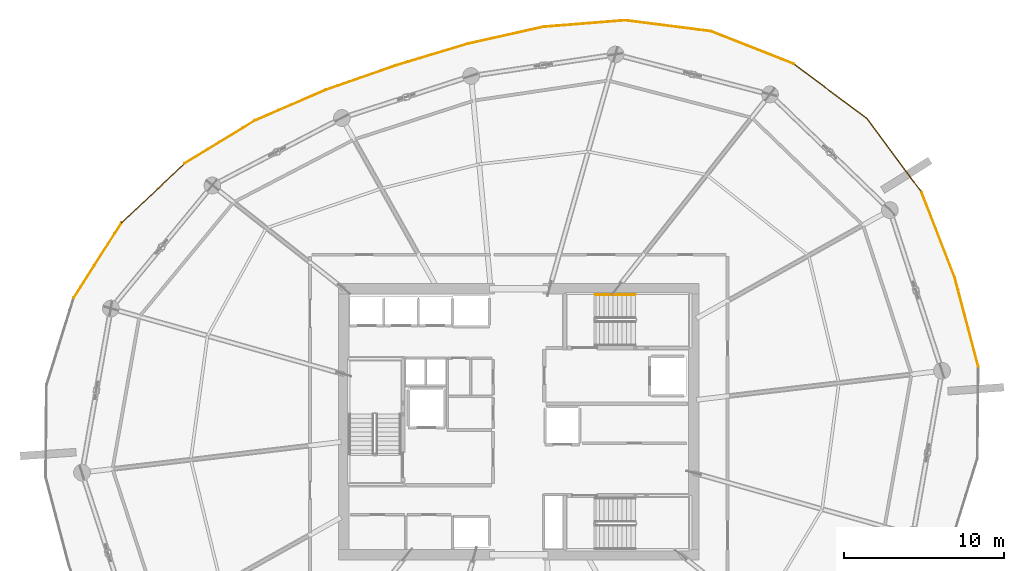
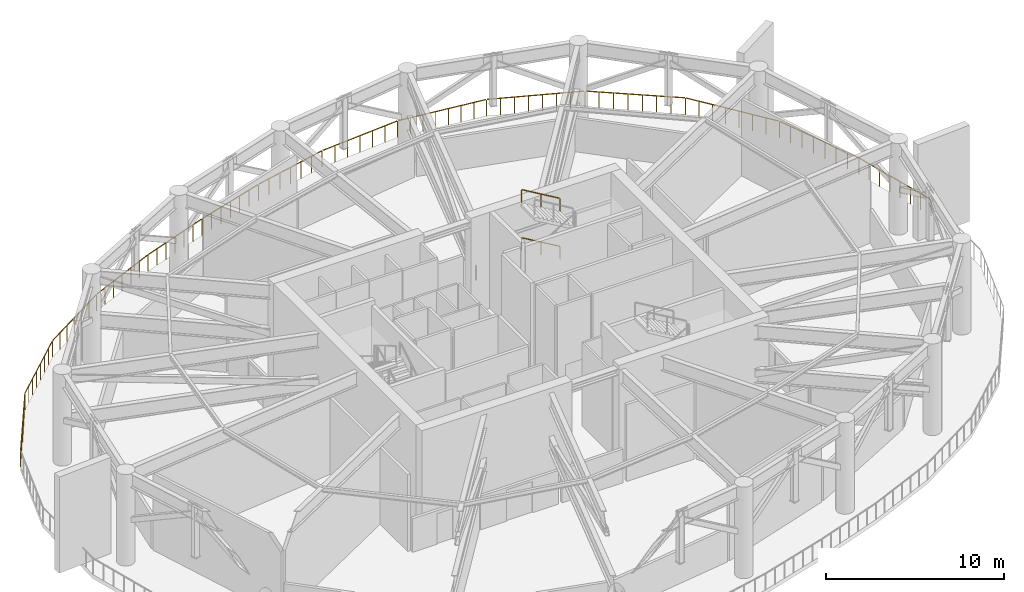
# One storey, part 20 of 20: 16 railings.
"""IFC4 building model written with IfcOpenShell, lengths in metres."""

from ifc_helpers import new_model, si_unit, direction, frame, origin, origin_2d, place, context, subcontext, project, spatial, rectangle, extrude, material, type_object, element, save


model = new_model("IFC4")

# Units and contexts
model_context = context("Model", 3, precision=1e-05, world=origin(), true_north=direction((0.0, 1.0)))
body_context = subcontext(model_context, "Body", "Model", "MODEL_VIEW")
ifc_project = project(units=[si_unit("LENGTHUNIT", "METRE"), si_unit("AREAUNIT", "SQUARE_METRE"), si_unit("VOLUMEUNIT", "CUBIC_METRE"), si_unit("PLANEANGLEUNIT", "RADIAN"), si_unit("MASSUNIT", "GRAM", prefix="KILO")], contexts=[model_context])

# Site, building, storey
site_placement = place(None, origin())
site = spatial("IfcSite", under=ifc_project, at=site_placement, CompositionType="ELEMENT")
building_placement = place(site_placement, origin())
building = spatial("IfcBuilding", under=site, at=building_placement, Name="Kazma Halo Residences", CompositionType="ELEMENT")
storey_placement = place(building_placement, frame((0.0, 0.0, 225.300048828125)))
storey = spatial("IfcBuildingStorey", under=building, at=storey_placement, Name="L57", CompositionType="ELEMENT", Elevation=225.300048828125)

# Railings
ifc_material_1 = material(Name="Brushed Stainless Steel and Laminated Glass", Category="steel")
railing_type_1 = type_object("IfcRailingType", Name="RLG-EXT-GUARD-1150", PredefinedType="GUARDRAIL", material=ifc_material_1)
railing_1_placement = place(storey_placement, frame((75.72021484375, 51.0068359375, 0.0)))
element("IfcRailing", 1, at=railing_1_placement, inside=storey, type_object=railing_type_1, Name="L57 open wind-floor perimeter guard 01", PredefinedType="GUARDRAIL", context=body_context, shape_type="SweptSolid", body=[
    extrude(rectangle(XDim=0.050048828125, YDim=0.050048828125, at=origin_2d()), frame((-0.015380859375, 0.03955078125, 1.125), z_axis=(-0.362099505879, 0.932139446565, 0.0), x_axis=(-0.932139446565, -0.362099505879, 0.0)), (0.0, 0.0, 1.0), 5.657470703125),
    extrude(rectangle(XDim=0.0400390625, YDim=0.0400390625, at=origin_2d()), origin(), (0.0, 0.0, 1.0), 1.087890625),
    extrude(rectangle(XDim=0.0400390625, YDim=0.0400390625, at=origin_2d()), frame((-0.297119140625, 0.7646484375, 0.0)), (0.0, 0.0, 1.0), 1.087890625),
    extrude(rectangle(XDim=0.0400390625, YDim=0.0400390625, at=origin_2d()), frame((-0.593994140625, 1.529296875, 0.0)), (0.0, 0.0, 1.0), 1.087890625),
    extrude(rectangle(XDim=0.0400390625, YDim=0.0400390625, at=origin_2d()), frame((-0.89111328125, 2.2939453125, 0.0)), (0.0, 0.0, 1.0), 1.087890625),
    extrude(rectangle(XDim=0.0400390625, YDim=0.0400390625, at=origin_2d()), frame((-1.188232421875, 3.058837890625, 0.0)), (0.0, 0.0, 1.0), 1.087890625),
    extrude(rectangle(XDim=0.0400390625, YDim=0.0400390625, at=origin_2d()), frame((-1.4853515625, 3.823486328125, 0.0)), (0.0, 0.0, 1.0), 1.087890625),
    extrude(rectangle(XDim=0.0400390625, YDim=0.0400390625, at=origin_2d()), frame((-1.7822265625, 4.588134765625, 0.0)), (0.0, 0.0, 1.0), 1.087890625),
    extrude(rectangle(XDim=0.0400390625, YDim=0.0400390625, at=origin_2d()), frame((-2.079345703125, 5.352783203125, 0.0)), (0.0, 0.0, 1.0), 1.087890625),
])
railing_2_placement = place(storey_placement, frame((73.640869140625, 56.359619140625, 0.0)))
element("IfcRailing", 2, at=railing_2_placement, inside=storey, type_object=railing_type_1, Name="L57 open wind-floor perimeter guard 02", PredefinedType="GUARDRAIL", context=body_context, shape_type="SweptSolid", body=[
    extrude(rectangle(XDim=0.050048828125, YDim=0.050048828125, at=origin_2d()), frame((-0.025390625, 0.0341796875, 1.125), z_axis=(-0.595327107101, 0.803483438255, 0.0), x_axis=(-0.803483438255, -0.595327107101, 0.0)), (0.0, 0.0, 1.0), 5.661865234375),
    extrude(rectangle(XDim=0.0400390625, YDim=0.0400390625, at=origin_2d()), origin(), (0.0, 0.0, 1.0), 1.087890625),
    extrude(rectangle(XDim=0.0400390625, YDim=0.0400390625, at=origin_2d()), frame((-0.48876953125, 0.65966796875, 0.0)), (0.0, 0.0, 1.0), 1.087890625),
    extrude(rectangle(XDim=0.0400390625, YDim=0.0400390625, at=origin_2d()), frame((-0.9775390625, 1.3193359375, 0.0)), (0.0, 0.0, 1.0), 1.087890625),
    extrude(rectangle(XDim=0.0400390625, YDim=0.0400390625, at=origin_2d()), frame((-1.46630859375, 1.97900390625, 0.0)), (0.0, 0.0, 1.0), 1.087890625),
    extrude(rectangle(XDim=0.0400390625, YDim=0.0400390625, at=origin_2d()), frame((-1.955078125, 2.638671875, 0.0)), (0.0, 0.0, 1.0), 1.087890625),
    extrude(rectangle(XDim=0.0400390625, YDim=0.0400390625, at=origin_2d()), frame((-2.44384765625, 3.29833984375, 0.0)), (0.0, 0.0, 1.0), 1.087890625),
    extrude(rectangle(XDim=0.0400390625, YDim=0.0400390625, at=origin_2d()), frame((-2.9326171875, 3.9580078125, 0.0)), (0.0, 0.0, 1.0), 1.087890625),
    extrude(rectangle(XDim=0.0400390625, YDim=0.0400390625, at=origin_2d()), frame((-3.42138671875, 4.61767578125, 0.0)), (0.0, 0.0, 1.0), 1.087890625),
])
railing_3_placement = place(storey_placement, frame((70.219482421875, 60.977294921875, 0.0)))
element("IfcRailing", 3, at=railing_3_placement, inside=storey, type_object=railing_type_1, Name="L57 open wind-floor perimeter guard 03", PredefinedType="GUARDRAIL", context=body_context, shape_type="SweptSolid", body=[
    extrude(rectangle(XDim=0.050048828125, YDim=0.050048828125, at=origin_2d()), frame((-0.0341796875, 0.025390625, 1.125), z_axis=(-0.801472008751, 0.59803228942, 0.0), x_axis=(-0.59803228942, -0.801472008751, 0.0)), (0.0, 0.0, 1.0), 5.61767578125),
    extrude(rectangle(XDim=0.0400390625, YDim=0.0400390625, at=origin_2d()), origin(), (0.0, 0.0, 1.0), 1.087890625),
    extrude(rectangle(XDim=0.0400390625, YDim=0.0400390625, at=origin_2d()), frame((-0.65283203125, 0.4873046875, 0.0)), (0.0, 0.0, 1.0), 1.087890625),
    extrude(rectangle(XDim=0.0400390625, YDim=0.0400390625, at=origin_2d()), frame((-1.305908203125, 0.974365234375, 0.0)), (0.0, 0.0, 1.0), 1.087890625),
    extrude(rectangle(XDim=0.0400390625, YDim=0.0400390625, at=origin_2d()), frame((-1.958740234375, 1.461669921875, 0.0)), (0.0, 0.0, 1.0), 1.087890625),
    extrude(rectangle(XDim=0.0400390625, YDim=0.0400390625, at=origin_2d()), frame((-2.61181640625, 1.94873046875, 0.0)), (0.0, 0.0, 1.0), 1.087890625),
    extrude(rectangle(XDim=0.0400390625, YDim=0.0400390625, at=origin_2d()), frame((-3.2646484375, 2.43603515625, 0.0)), (0.0, 0.0, 1.0), 1.087890625),
    extrude(rectangle(XDim=0.0400390625, YDim=0.0400390625, at=origin_2d()), frame((-3.917724609375, 2.923095703125, 0.0)), (0.0, 0.0, 1.0), 1.087890625),
    extrude(rectangle(XDim=0.0400390625, YDim=0.0400390625, at=origin_2d()), frame((-4.570556640625, 3.410400390625, 0.0)), (0.0, 0.0, 1.0), 1.087890625),
])
railing_4_placement = place(storey_placement, frame((65.64892578125, 64.3876953125, 0.0)))
element("IfcRailing", 4, at=railing_4_placement, inside=storey, type_object=railing_type_1, Name="L57 open wind-floor perimeter guard 04", PredefinedType="GUARDRAIL", context=body_context, shape_type="SweptSolid", body=[
    extrude(rectangle(XDim=0.050048828125, YDim=0.050048828125, at=origin_2d()), frame((-0.03955078125, 0.015625, 1.125), z_axis=(-0.93029771468, 0.366805346283, 0.0), x_axis=(-0.366805346283, -0.93029771468, 0.0)), (0.0, 0.0, 1.0), 5.501953125),
    extrude(rectangle(XDim=0.0400390625, YDim=0.0400390625, at=origin_2d()), origin(), (0.0, 0.0, 1.0), 1.087890625),
    extrude(rectangle(XDim=0.0400390625, YDim=0.0400390625, at=origin_2d()), frame((-0.742431640625, 0.292724609375, 0.0)), (0.0, 0.0, 1.0), 1.087890625),
    extrude(rectangle(XDim=0.0400390625, YDim=0.0400390625, at=origin_2d()), frame((-1.485107421875, 0.58544921875, 0.0)), (0.0, 0.0, 1.0), 1.087890625),
    extrude(rectangle(XDim=0.0400390625, YDim=0.0400390625, at=origin_2d()), frame((-2.2275390625, 0.878173828125, 0.0)), (0.0, 0.0, 1.0), 1.087890625),
    extrude(rectangle(XDim=0.0400390625, YDim=0.0400390625, at=origin_2d()), frame((-2.969970703125, 1.171142578125, 0.0)), (0.0, 0.0, 1.0), 1.087890625),
    extrude(rectangle(XDim=0.0400390625, YDim=0.0400390625, at=origin_2d()), frame((-3.71240234375, 1.4638671875, 0.0)), (0.0, 0.0, 1.0), 1.087890625),
    extrude(rectangle(XDim=0.0400390625, YDim=0.0400390625, at=origin_2d()), frame((-4.455078125, 1.756591796875, 0.0)), (0.0, 0.0, 1.0), 1.087890625),
    extrude(rectangle(XDim=0.0400390625, YDim=0.0400390625, at=origin_2d()), frame((-5.197509765625, 2.04931640625, 0.0)), (0.0, 0.0, 1.0), 1.087890625),
])
railing_5_placement = place(storey_placement, frame((60.451416015625, 66.43701171875, 0.0)))
element("IfcRailing", 5, at=railing_5_placement, inside=storey, type_object=railing_type_1, Name="L57 open wind-floor perimeter guard 05", PredefinedType="GUARDRAIL", context=body_context, shape_type="SweptSolid", body=[
    extrude(rectangle(XDim=0.050048828125, YDim=0.050048828125, at=origin_2d()), frame((-0.042236328125, 0.00537109375, 1.125), z_axis=(-0.991979301164, 0.126400419551, 0.0), x_axis=(-0.126400419551, -0.991979301164, 0.0)), (0.0, 0.0, 1.0), 5.324951171875),
    extrude(rectangle(XDim=0.0400390625, YDim=0.0400390625, at=origin_2d()), origin(), (0.0, 0.0, 1.0), 1.087890625),
    extrude(rectangle(XDim=0.0400390625, YDim=0.0400390625, at=origin_2d()), frame((-0.7666015625, 0.09765625, 0.0)), (0.0, 0.0, 1.0), 1.087890625),
    extrude(rectangle(XDim=0.0400390625, YDim=0.0400390625, at=origin_2d()), frame((-1.533447265625, 0.1953125, 0.0)), (0.0, 0.0, 1.0), 1.087890625),
    extrude(rectangle(XDim=0.0400390625, YDim=0.0400390625, at=origin_2d()), frame((-2.300048828125, 0.29296875, 0.0)), (0.0, 0.0, 1.0), 1.087890625),
    extrude(rectangle(XDim=0.0400390625, YDim=0.0400390625, at=origin_2d()), frame((-3.066650390625, 0.390869140625, 0.0)), (0.0, 0.0, 1.0), 1.087890625),
    extrude(rectangle(XDim=0.0400390625, YDim=0.0400390625, at=origin_2d()), frame((-3.833251953125, 0.488525390625, 0.0)), (0.0, 0.0, 1.0), 1.087890625),
    extrude(rectangle(XDim=0.0400390625, YDim=0.0400390625, at=origin_2d()), frame((-4.60009765625, 0.586181640625, 0.0)), (0.0, 0.0, 1.0), 1.087890625),
    extrude(rectangle(XDim=0.0400390625, YDim=0.0400390625, at=origin_2d()), frame((-5.36669921875, 0.683837890625, 0.0)), (0.0, 0.0, 1.0), 1.087890625),
])
railing_6_placement = place(storey_placement, frame((55.084716796875, 67.120849609375, 0.0)))
element("IfcRailing", 6, at=railing_6_placement, inside=storey, type_object=railing_type_1, Name="L57 open wind-floor perimeter guard 06", PredefinedType="GUARDRAIL", context=body_context, shape_type="SweptSolid", body=[
    extrude(rectangle(XDim=0.050048828125, YDim=0.050048828125, at=origin_2d()), frame((-0.04248046875, -0.00341796875, 1.125), z_axis=(-0.996816482765, -0.079730167995, 0.0), x_axis=(0.079730167995, -0.996816482765, 0.0)), (0.0, 0.0, 1.0), 5.071533203125),
    extrude(rectangle(XDim=0.0400390625, YDim=0.0400390625, at=origin_2d()), origin(), (0.0, 0.0, 1.0), 1.087890625),
    extrude(rectangle(XDim=0.0400390625, YDim=0.0400390625, at=origin_2d()), frame((-0.856689453125, -0.068603515625, 0.0)), (0.0, 0.0, 1.0), 1.087890625),
    extrude(rectangle(XDim=0.0400390625, YDim=0.0400390625, at=origin_2d()), frame((-1.71337890625, -0.136962890625, 0.0)), (0.0, 0.0, 1.0), 1.087890625),
    extrude(rectangle(XDim=0.0400390625, YDim=0.0400390625, at=origin_2d()), frame((-2.570068359375, -0.20556640625, 0.0)), (0.0, 0.0, 1.0), 1.087890625),
    extrude(rectangle(XDim=0.0400390625, YDim=0.0400390625, at=origin_2d()), frame((-3.4267578125, -0.274169921875, 0.0)), (0.0, 0.0, 1.0), 1.087890625),
    extrude(rectangle(XDim=0.0400390625, YDim=0.0400390625, at=origin_2d()), frame((-4.283447265625, -0.342529296875, 0.0)), (0.0, 0.0, 1.0), 1.087890625),
    extrude(rectangle(XDim=0.0400390625, YDim=0.0400390625, at=origin_2d()), frame((-5.14013671875, -0.4111328125, 0.0)), (0.0, 0.0, 1.0), 1.087890625),
])
railing_7_placement = place(storey_placement, frame((49.944580078125, 66.709716796875, 0.0)))
element("IfcRailing", 7, at=railing_7_placement, inside=storey, type_object=railing_type_1, Name="L57 open wind-floor perimeter guard 07", PredefinedType="GUARDRAIL", context=body_context, shape_type="SweptSolid", body=[
    extrude(rectangle(XDim=0.050048828125, YDim=0.050048828125, at=origin_2d()), frame((-0.04150390625, -0.00927734375, 1.125), z_axis=(-0.975720413883, -0.219019802602, 0.0), x_axis=(0.219019802602, -0.975720413883, 0.0)), (0.0, 0.0, 1.0), 4.776123046875),
    extrude(rectangle(XDim=0.0400390625, YDim=0.0400390625, at=origin_2d()), origin(), (0.0, 0.0, 1.0), 1.087890625),
    extrude(rectangle(XDim=0.0400390625, YDim=0.0400390625, at=origin_2d()), frame((-0.79052734375, -0.177490234375, 0.0)), (0.0, 0.0, 1.0), 1.087890625),
    extrude(rectangle(XDim=0.0400390625, YDim=0.0400390625, at=origin_2d()), frame((-1.5810546875, -0.35498046875, 0.0)), (0.0, 0.0, 1.0), 1.087890625),
    extrude(rectangle(XDim=0.0400390625, YDim=0.0400390625, at=origin_2d()), frame((-2.37158203125, -0.5322265625, 0.0)), (0.0, 0.0, 1.0), 1.087890625),
    extrude(rectangle(XDim=0.0400390625, YDim=0.0400390625, at=origin_2d()), frame((-3.162109375, -0.709716796875, 0.0)), (0.0, 0.0, 1.0), 1.087890625),
    extrude(rectangle(XDim=0.0400390625, YDim=0.0400390625, at=origin_2d()), frame((-3.95263671875, -0.88720703125, 0.0)), (0.0, 0.0, 1.0), 1.087890625),
    extrude(rectangle(XDim=0.0400390625, YDim=0.0400390625, at=origin_2d()), frame((-4.7431640625, -1.064697265625, 0.0)), (0.0, 0.0, 1.0), 1.087890625),
])
railing_8_placement = place(storey_placement, frame((45.201416015625, 65.64501953125, 0.0)))
element("IfcRailing", 8, at=railing_8_placement, inside=storey, type_object=railing_type_1, Name="L57 open wind-floor perimeter guard 08", PredefinedType="GUARDRAIL", context=body_context, shape_type="SweptSolid", body=[
    extrude(rectangle(XDim=0.050048828125, YDim=0.050048828125, at=origin_2d()), frame((-0.040771484375, -0.01220703125, 1.125), z_axis=(-0.957247301834, -0.28927081279, 0.0), x_axis=(0.28927081279, -0.957247301834, 0.0)), (0.0, 0.0, 1.0), 4.56103515625),
    extrude(rectangle(XDim=0.0400390625, YDim=0.0400390625, at=origin_2d()), origin(), (0.0, 0.0, 1.0), 1.087890625),
    extrude(rectangle(XDim=0.0400390625, YDim=0.0400390625, at=origin_2d()), frame((-0.7412109375, -0.22412109375, 0.0)), (0.0, 0.0, 1.0), 1.087890625),
    extrude(rectangle(XDim=0.0400390625, YDim=0.0400390625, at=origin_2d()), frame((-1.482421875, -0.447998046875, 0.0)), (0.0, 0.0, 1.0), 1.087890625),
    extrude(rectangle(XDim=0.0400390625, YDim=0.0400390625, at=origin_2d()), frame((-2.2236328125, -0.671875, 0.0)), (0.0, 0.0, 1.0), 1.087890625),
    extrude(rectangle(XDim=0.0400390625, YDim=0.0400390625, at=origin_2d()), frame((-2.965087890625, -0.89599609375, 0.0)), (0.0, 0.0, 1.0), 1.087890625),
    extrude(rectangle(XDim=0.0400390625, YDim=0.0400390625, at=origin_2d()), frame((-3.706298828125, -1.1201171875, 0.0)), (0.0, 0.0, 1.0), 1.087890625),
    extrude(rectangle(XDim=0.0400390625, YDim=0.0400390625, at=origin_2d()), frame((-4.447509765625, -1.343994140625, 0.0)), (0.0, 0.0, 1.0), 1.087890625),
])
railing_9_placement = place(storey_placement, frame((40.75390625, 64.301025390625, 0.0)))
element("IfcRailing", 9, at=railing_9_placement, inside=storey, type_object=railing_type_1, Name="L57 open wind-floor perimeter guard 09", PredefinedType="GUARDRAIL", context=body_context, shape_type="SweptSolid", body=[
    extrude(rectangle(XDim=0.050048828125, YDim=0.050048828125, at=origin_2d()), frame((-0.040283203125, -0.013916015625, 1.125), z_axis=(-0.944455672037, -0.328638834525, 0.0), x_axis=(0.328638834525, -0.944455672037, 0.0)), (0.0, 0.0, 1.0), 4.56103515625),
    extrude(rectangle(XDim=0.0400390625, YDim=0.0400390625, at=origin_2d()), origin(), (0.0, 0.0, 1.0), 1.087890625),
    extrude(rectangle(XDim=0.0400390625, YDim=0.0400390625, at=origin_2d()), frame((-0.7314453125, -0.25439453125, 0.0)), (0.0, 0.0, 1.0), 1.087890625),
    extrude(rectangle(XDim=0.0400390625, YDim=0.0400390625, at=origin_2d()), frame((-1.462646484375, -0.509033203125, 0.0)), (0.0, 0.0, 1.0), 1.087890625),
    extrude(rectangle(XDim=0.0400390625, YDim=0.0400390625, at=origin_2d()), frame((-2.19384765625, -0.763427734375, 0.0)), (0.0, 0.0, 1.0), 1.087890625),
    extrude(rectangle(XDim=0.0400390625, YDim=0.0400390625, at=origin_2d()), frame((-2.92529296875, -1.017822265625, 0.0)), (0.0, 0.0, 1.0), 1.087890625),
    extrude(rectangle(XDim=0.0400390625, YDim=0.0400390625, at=origin_2d()), frame((-3.65673828125, -1.2724609375, 0.0)), (0.0, 0.0, 1.0), 1.087890625),
    extrude(rectangle(XDim=0.0400390625, YDim=0.0400390625, at=origin_2d()), frame((-4.387939453125, -1.52685546875, 0.0)), (0.0, 0.0, 1.0), 1.087890625),
])
railing_10_placement = place(storey_placement, frame((36.365966796875, 62.774169921875, 0.0)))
element("IfcRailing", 10, at=railing_10_placement, inside=storey, type_object=railing_type_1, Name="L57 open wind-floor perimeter guard 10", PredefinedType="GUARDRAIL", context=body_context, shape_type="SweptSolid", body=[
    extrude(rectangle(XDim=0.050048828125, YDim=0.050048828125, at=origin_2d()), frame((-0.0390625, -0.016845703125, 1.125), z_axis=(-0.918108041038, -0.396330196908, 0.0), x_axis=(0.396330196908, -0.918108041038, 0.0)), (0.0, 0.0, 1.0), 4.7763671875),
    extrude(rectangle(XDim=0.0400390625, YDim=0.0400390625, at=origin_2d()), origin(), (0.0, 0.0, 1.0), 1.087890625),
    extrude(rectangle(XDim=0.0400390625, YDim=0.0400390625, at=origin_2d()), frame((-0.743896484375, -0.321044921875, 0.0)), (0.0, 0.0, 1.0), 1.087890625),
    extrude(rectangle(XDim=0.0400390625, YDim=0.0400390625, at=origin_2d()), frame((-1.48779296875, -0.642333984375, 0.0)), (0.0, 0.0, 1.0), 1.087890625),
    extrude(rectangle(XDim=0.0400390625, YDim=0.0400390625, at=origin_2d()), frame((-2.231689453125, -0.96337890625, 0.0)), (0.0, 0.0, 1.0), 1.087890625),
    extrude(rectangle(XDim=0.0400390625, YDim=0.0400390625, at=origin_2d()), frame((-2.9755859375, -1.284423828125, 0.0)), (0.0, 0.0, 1.0), 1.087890625),
    extrude(rectangle(XDim=0.0400390625, YDim=0.0400390625, at=origin_2d()), frame((-3.719482421875, -1.605712890625, 0.0)), (0.0, 0.0, 1.0), 1.087890625),
    extrude(rectangle(XDim=0.0400390625, YDim=0.0400390625, at=origin_2d()), frame((-4.46337890625, -1.9267578125, 0.0)), (0.0, 0.0, 1.0), 1.087890625),
])
railing_11_placement = place(storey_placement, frame((31.902587890625, 60.847412109375, 0.0)))
element("IfcRailing", 11, at=railing_11_placement, inside=storey, type_object=railing_type_1, Name="L57 open wind-floor perimeter guard 11", PredefinedType="GUARDRAIL", context=body_context, shape_type="SweptSolid", body=[
    extrude(rectangle(XDim=0.050048828125, YDim=0.050048828125, at=origin_2d()), frame((-0.036376953125, -0.022216796875, 1.125), z_axis=(-0.853291196556, -0.52143468803, 0.0), x_axis=(0.52143468803, -0.853291196556, 0.0)), (0.0, 0.0, 1.0), 5.0712890625),
    extrude(rectangle(XDim=0.0400390625, YDim=0.0400390625, at=origin_2d()), origin(), (0.0, 0.0, 1.0), 1.087890625),
    extrude(rectangle(XDim=0.0400390625, YDim=0.0400390625, at=origin_2d()), frame((-0.7333984375, -0.4482421875, 0.0)), (0.0, 0.0, 1.0), 1.087890625),
    extrude(rectangle(XDim=0.0400390625, YDim=0.0400390625, at=origin_2d()), frame((-1.466552734375, -0.896240234375, 0.0)), (0.0, 0.0, 1.0), 1.087890625),
    extrude(rectangle(XDim=0.0400390625, YDim=0.0400390625, at=origin_2d()), frame((-2.199951171875, -1.34423828125, 0.0)), (0.0, 0.0, 1.0), 1.087890625),
    extrude(rectangle(XDim=0.0400390625, YDim=0.0400390625, at=origin_2d()), frame((-2.933349609375, -1.79248046875, 0.0)), (0.0, 0.0, 1.0), 1.087890625),
    extrude(rectangle(XDim=0.0400390625, YDim=0.0400390625, at=origin_2d()), frame((-3.66650390625, -2.24072265625, 0.0)), (0.0, 0.0, 1.0), 1.087890625),
    extrude(rectangle(XDim=0.0400390625, YDim=0.0400390625, at=origin_2d()), frame((-4.39990234375, -2.688720703125, 0.0)), (0.0, 0.0, 1.0), 1.087890625),
])
railing_12_placement = place(storey_placement, frame((27.502685546875, 58.15869140625, 0.0)))
element("IfcRailing", 12, at=railing_12_placement, inside=storey, type_object=railing_type_1, Name="L57 open wind-floor perimeter guard 12", PredefinedType="GUARDRAIL", context=body_context, shape_type="SweptSolid", body=[
    extrude(rectangle(XDim=0.050048828125, YDim=0.050048828125, at=origin_2d()), frame((-0.031005859375, -0.029052734375, 1.125), z_axis=(-0.728262260759, -0.685298533162, 0.0), x_axis=(0.685298533162, -0.728262260759, 0.0)), (0.0, 0.0, 1.0), 5.32470703125),
    extrude(rectangle(XDim=0.0400390625, YDim=0.0400390625, at=origin_2d()), origin(), (0.0, 0.0, 1.0), 1.087890625),
    extrude(rectangle(XDim=0.0400390625, YDim=0.0400390625, at=origin_2d()), frame((-0.562744140625, -0.529541015625, 0.0)), (0.0, 0.0, 1.0), 1.087890625),
    extrude(rectangle(XDim=0.0400390625, YDim=0.0400390625, at=origin_2d()), frame((-1.125732421875, -1.059326171875, 0.0)), (0.0, 0.0, 1.0), 1.087890625),
    extrude(rectangle(XDim=0.0400390625, YDim=0.0400390625, at=origin_2d()), frame((-1.6884765625, -1.5888671875, 0.0)), (0.0, 0.0, 1.0), 1.087890625),
    extrude(rectangle(XDim=0.0400390625, YDim=0.0400390625, at=origin_2d()), frame((-2.251220703125, -2.118408203125, 0.0)), (0.0, 0.0, 1.0), 1.087890625),
    extrude(rectangle(XDim=0.0400390625, YDim=0.0400390625, at=origin_2d()), frame((-2.81396484375, -2.64794921875, 0.0)), (0.0, 0.0, 1.0), 1.087890625),
    extrude(rectangle(XDim=0.0400390625, YDim=0.0400390625, at=origin_2d()), frame((-3.376953125, -3.177734375, 0.0)), (0.0, 0.0, 1.0), 1.087890625),
    extrude(rectangle(XDim=0.0400390625, YDim=0.0400390625, at=origin_2d()), frame((-3.939697265625, -3.707275390625, 0.0)), (0.0, 0.0, 1.0), 1.087890625),
])
railing_13_placement = place(storey_placement, frame((23.56298828125, 54.451416015625, 0.0)))
element("IfcRailing", 13, at=railing_13_placement, inside=storey, type_object=railing_type_1, Name="L57 open wind-floor perimeter guard 13", PredefinedType="GUARDRAIL", context=body_context, shape_type="SweptSolid", body=[
    extrude(rectangle(XDim=0.050048828125, YDim=0.050048828125, at=origin_2d()), frame((-0.02294921875, -0.035888671875, 1.125), z_axis=(-0.537030991497, -0.843562513494, 0.0), x_axis=(0.843562513494, -0.537030991497, 0.0)), (0.0, 0.0, 1.0), 5.502197265625),
    extrude(rectangle(XDim=0.0400390625, YDim=0.0400390625, at=origin_2d()), origin(), (0.0, 0.0, 1.0), 1.087890625),
    extrude(rectangle(XDim=0.0400390625, YDim=0.0400390625, at=origin_2d()), frame((-0.4287109375, -0.67333984375, 0.0)), (0.0, 0.0, 1.0), 1.087890625),
    extrude(rectangle(XDim=0.0400390625, YDim=0.0400390625, at=origin_2d()), frame((-0.857177734375, -1.3466796875, 0.0)), (0.0, 0.0, 1.0), 1.087890625),
    extrude(rectangle(XDim=0.0400390625, YDim=0.0400390625, at=origin_2d()), frame((-1.285888671875, -2.02001953125, 0.0)), (0.0, 0.0, 1.0), 1.087890625),
    extrude(rectangle(XDim=0.0400390625, YDim=0.0400390625, at=origin_2d()), frame((-1.714599609375, -2.693115234375, 0.0)), (0.0, 0.0, 1.0), 1.087890625),
    extrude(rectangle(XDim=0.0400390625, YDim=0.0400390625, at=origin_2d()), frame((-2.143310546875, -3.366455078125, 0.0)), (0.0, 0.0, 1.0), 1.087890625),
    extrude(rectangle(XDim=0.0400390625, YDim=0.0400390625, at=origin_2d()), frame((-2.57177734375, -4.039794921875, 0.0)), (0.0, 0.0, 1.0), 1.087890625),
    extrude(rectangle(XDim=0.0400390625, YDim=0.0400390625, at=origin_2d()), frame((-3.00048828125, -4.713134765625, 0.0)), (0.0, 0.0, 1.0), 1.087890625),
])
railing_14_placement = place(storey_placement, frame((77.184326171875, 45.4541015625, 0.0)))
element("IfcRailing", 14, at=railing_14_placement, inside=storey, type_object=railing_type_1, Name="L57 open wind-floor perimeter guard 32", PredefinedType="GUARDRAIL", context=body_context, shape_type="SweptSolid", body=[
    extrude(rectangle(XDim=0.050048828125, YDim=0.050048828125, at=origin_2d()), frame((-0.0107421875, 0.041015625, 1.125), z_axis=(-0.254959938761, 0.966951617004, 0.0), x_axis=(-0.966951617004, -0.254959938761, 0.0)), (0.0, 0.0, 1.0), 5.657470703125),
    extrude(rectangle(XDim=0.0400390625, YDim=0.0400390625, at=origin_2d()), origin(), (0.0, 0.0, 1.0), 1.087890625),
    extrude(rectangle(XDim=0.0400390625, YDim=0.0400390625, at=origin_2d()), frame((-0.209228515625, 0.793212890625, 0.0)), (0.0, 0.0, 1.0), 1.087890625),
    extrude(rectangle(XDim=0.0400390625, YDim=0.0400390625, at=origin_2d()), frame((-0.418212890625, 1.58642578125, 0.0)), (0.0, 0.0, 1.0), 1.087890625),
    extrude(rectangle(XDim=0.0400390625, YDim=0.0400390625, at=origin_2d()), frame((-0.62744140625, 2.379638671875, 0.0)), (0.0, 0.0, 1.0), 1.087890625),
    extrude(rectangle(XDim=0.0400390625, YDim=0.0400390625, at=origin_2d()), frame((-0.836669921875, 3.173095703125, 0.0)), (0.0, 0.0, 1.0), 1.087890625),
    extrude(rectangle(XDim=0.0400390625, YDim=0.0400390625, at=origin_2d()), frame((-1.0458984375, 3.96630859375, 0.0)), (0.0, 0.0, 1.0), 1.087890625),
    extrude(rectangle(XDim=0.0400390625, YDim=0.0400390625, at=origin_2d()), frame((-1.2548828125, 4.759521484375, 0.0)), (0.0, 0.0, 1.0), 1.087890625),
    extrude(rectangle(XDim=0.0400390625, YDim=0.0400390625, at=origin_2d()), frame((-1.464111328125, 5.552734375, 0.0)), (0.0, 0.0, 1.0), 1.087890625),
])
ifc_material_2 = material(Name="Brushed Stainless Steel", Category="steel")
railing_type_2 = type_object("IfcRailingType", Name="RLG-STAIR-HND-900", PredefinedType="HANDRAIL", material=ifc_material_2)
railing_15_placement = place(storey_placement, frame((55.719970703125, 49.949951171875, 1.81494140625)))
element("IfcRailing", 15, at=railing_15_placement, inside=storey, type_object=railing_type_2, Name="L57 ST-02 stair handrail 2", PredefinedType="HANDRAIL", context=body_context, shape_type="SweptSolid", body=[
    extrude(rectangle(XDim=0.050048828125, YDim=0.050048828125, at=origin_2d()), frame((-0.03662109375, 0.0, 0.896484375), z_axis=(-0.86152411907, 0.0, 0.507716645641), x_axis=(0.0, -1.0, 0.0)), (0.0, 0.0, 1.0), 2.840087890625),
    extrude(rectangle(XDim=0.0400390625, YDim=0.0400390625, at=origin_2d()), origin(), (0.0, 0.0, 1.0), 0.837890625),
    extrude(rectangle(XDim=0.0400390625, YDim=0.0400390625, at=origin_2d()), frame((-1.260009765625, 0.0, 0.74267578125)), (0.0, 0.0, 1.0), 0.837890625),
    extrude(rectangle(XDim=0.0400390625, YDim=0.0400390625, at=origin_2d()), frame((-2.52001953125, 0.0, 1.485107421875)), (0.0, 0.0, 1.0), 0.837890625),
])
railing_16_placement = place(storey_placement, frame((55.719970703125, 49.949951171875, 5.114990234375)))
element("IfcRailing", 16, at=railing_16_placement, inside=storey, type_object=railing_type_2, Name="L57 ST-02 stair handrail 4", PredefinedType="HANDRAIL", context=body_context, shape_type="SweptSolid", body=[
    extrude(rectangle(XDim=0.050048828125, YDim=0.050048828125, at=origin_2d()), frame((-0.03662109375, 0.0, 0.896484375), z_axis=(-0.861560626758, 0.0, 0.507654692109), x_axis=(0.0, -1.0, 0.0)), (0.0, 0.0, 1.0), 2.83984375),
    extrude(rectangle(XDim=0.0400390625, YDim=0.0400390625, at=origin_2d()), origin(), (0.0, 0.0, 1.0), 0.837890625),
    extrude(rectangle(XDim=0.0400390625, YDim=0.0400390625, at=origin_2d()), frame((-1.260009765625, 0.0, 0.742431640625)), (0.0, 0.0, 1.0), 0.837890625),
    extrude(rectangle(XDim=0.0400390625, YDim=0.0400390625, at=origin_2d()), frame((-2.52001953125, 0.0, 1.48486328125)), (0.0, 0.0, 1.0), 0.837890625),
])

save(model, "model.ifc")
